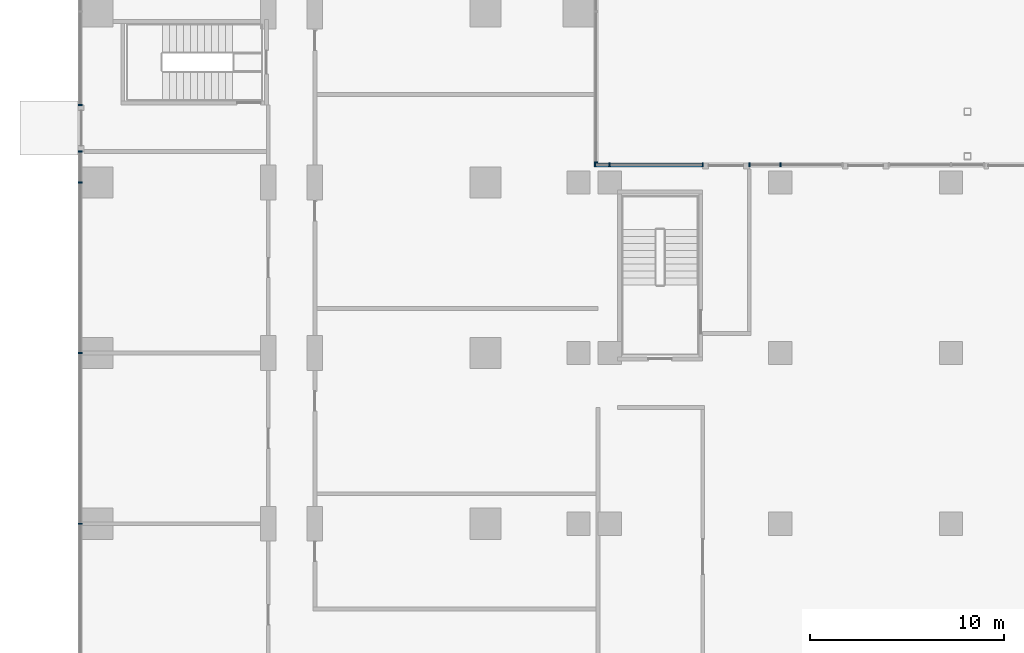
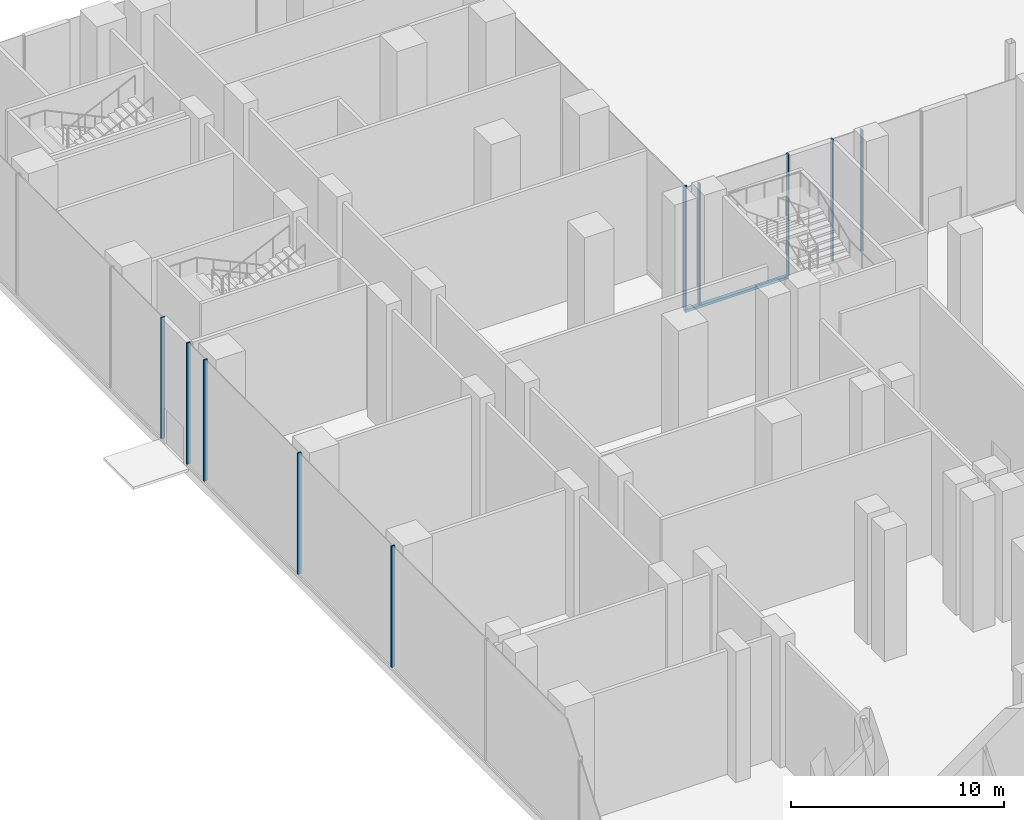
# One storey, part 11 of 41: 12 members, 5 elements without a shape of their own.
"""IFC4 building model written with IfcOpenShell, lengths in metres."""

import ifcopenshell
import ifcopenshell.guid

model = None  # the IFC model being written
_history = None  # IfcOwnerHistory: only IFC2X3 demands one
_inside = {}  # id of a spatial element -> (the spatial element, [elements in it])
_under = {}  # id of a project, library or spatial element -> (it, [spatial elements below it])
_declared = {}  # id of a project -> (the project, [libraries it declares])
_typed = {}  # id of a type object -> (the type object, [elements of that type])
_made_of = {}  # id of a material, layer set ... -> (it, [elements and type objects made of it])


def new_model(schema):
    """Start an empty IFC model of exactly this schema.

    Asked for "IFC4X3", IfcOpenShell would pick the latest addendum, in which some entities
    have other attributes; the version numbers below select the first issue.
    IFC2X3 requires an IfcOwnerHistory on every rooted entity: one is made here for all.
    """
    global model, _history
    if schema == "IFC4X3":
        model = ifcopenshell.file(schema_version=(4, 3, 0, 0))
    else:
        model = ifcopenshell.file(schema=schema)
    _inside.clear()
    _under.clear()
    _declared.clear()
    _typed.clear()
    _made_of.clear()
    _history = None
    if model.schema == "IFC2X3":
        org = make("IfcOrganization", Name="unknown")
        user = make(
            "IfcPersonAndOrganization",
            ThePerson=make("IfcPerson", FamilyName="unknown"),
            TheOrganization=org,
        )
        app = make(
            "IfcApplication",
            ApplicationDeveloper=org,
            Version="unknown",
            ApplicationFullName="unknown",
            ApplicationIdentifier="unknown",
        )
        _history = make(
            "IfcOwnerHistory",
            OwningUser=user,
            OwningApplication=app,
            ChangeAction="ADDED",
            CreationDate=0,
        )
    return model


def make(cls, **values):
    """One entity of the class cls with the attributes given. An attribute that is None is left unset."""
    return model.create_entity(
        cls, **{name: value for name, value in values.items() if value is not None}
    )


def rooted(cls, **values):
    """An entity with a GlobalId (a new one), such as an element, a storey or a relation."""
    return make(cls, GlobalId=ifcopenshell.guid.new(), OwnerHistory=_history, **values)


def si_unit(unit_type, name, prefix=None):
    """IfcSIUnit, for example si_unit("LENGTHUNIT", "METRE", prefix="MILLI")."""
    return make("IfcSIUnit", UnitType=unit_type, Prefix=prefix, Name=name)


def assignment(units):
    """IfcUnitAssignment: the units of a project."""
    return None if units is None else make("IfcUnitAssignment", Units=units)


def point(xyz):
    """IfcCartesianPoint."""
    return None if xyz is None else make("IfcCartesianPoint", Coordinates=xyz)


def direction(xyz):
    """IfcDirection."""
    return None if xyz is None else make("IfcDirection", DirectionRatios=xyz)


def frame(location, z_axis=None, x_axis=None):
    """IfcAxis2Placement3D, a coordinate frame: its origin and axes. An axis left out is left unset."""
    return make(
        "IfcAxis2Placement3D",
        Location=point(location),
        Axis=direction(z_axis),
        RefDirection=direction(x_axis),
    )


def frame_2d(location, x_axis=None):
    """IfcAxis2Placement2D, a coordinate frame in the plane: its origin and x axis."""
    return make(
        "IfcAxis2Placement2D", Location=point(location), RefDirection=direction(x_axis)
    )


def origin():
    """The frame at (0, 0, 0) with its axes left unset."""
    return frame((0.0, 0.0, 0.0))


def origin_2d():
    """The frame at (0, 0) in the plane with its x axis left unset."""
    return frame_2d((0.0, 0.0))


def place(relative_to, where):
    """IfcLocalPlacement: puts the frame where relative to a parent placement (None: the world)."""
    return make(
        "IfcLocalPlacement", PlacementRelTo=relative_to, RelativePlacement=where
    )


def context(
    kind, dimensions, precision=None, world=None, true_north=None, identifier=None
):
    """IfcGeometricRepresentationContext, for example the 3D "Model" context."""
    return make(
        "IfcGeometricRepresentationContext",
        ContextIdentifier=identifier,
        ContextType=kind,
        CoordinateSpaceDimension=dimensions,
        Precision=precision,
        WorldCoordinateSystem=world,
        TrueNorth=true_north,
    )


def subcontext(parent, identifier, kind, view, scale=None):
    """IfcGeometricRepresentationSubContext, for example "Body" below "Model"."""
    return make(
        "IfcGeometricRepresentationSubContext",
        ContextIdentifier=identifier,
        ContextType=kind,
        ParentContext=parent,
        TargetScale=scale,
        TargetView=view,
    )


def project(units=None, contexts=None):
    """IfcProject with its units and contexts."""
    return rooted(
        "IfcProject",
        Name="project",
        RepresentationContexts=contexts,
        UnitsInContext=assignment(units),
    )


def spatial(cls, under=None, at=None, **own):
    """A site, building, storey or space (cls), placed at a placement, below another one or the project."""
    s = rooted(cls, ObjectPlacement=at, **own)
    if under is not None:
        _under.setdefault(under.id(), (under, []))[1].append(s)
    return s


def profile(cls, at=None, kind="AREA", **sizes):
    """A parametric profile (cls). Its sizes go by their IFC names, for example OverallWidth=200.0."""
    return make(cls, ProfileType=kind, Position=at, **sizes)


def rectangle(**sizes):
    """IfcRectangleProfileDef."""
    return profile("IfcRectangleProfileDef", **sizes)


def extrude(swept, where, along, depth):
    """IfcExtrudedAreaSolid: the profile swept, set in the frame where, extruded along a direction by depth."""
    return make(
        "IfcExtrudedAreaSolid",
        SweptArea=swept,
        Position=where,
        ExtrudedDirection=direction(along),
        Depth=depth,
    )


def shape(context_of_items, identifier, shape_type, items):
    """IfcShapeRepresentation: the items that make up one representation, for example the "Body"."""
    return make(
        "IfcShapeRepresentation",
        ContextOfItems=context_of_items,
        RepresentationIdentifier=identifier,
        RepresentationType=shape_type,
        Items=items,
    )


def source(mapping_origin, context_of_items, identifier, shape_type, items):
    """IfcRepresentationMap: a shape defined once, which mapped items show again and again."""
    return make(
        "IfcRepresentationMap",
        MappingOrigin=mapping_origin,
        MappedRepresentation=shape(context_of_items, identifier, shape_type, items),
    )


def transform(
    local_origin,
    x_axis=None,
    y_axis=None,
    z_axis=None,
    scale=None,
    scale2=None,
    scale3=None,
    uniform=True,
):
    """IfcCartesianTransformationOperator3D, or its non-uniform kind. x_axis, y_axis, z_axis: its Axis1, 2, 3."""
    if uniform:
        return make(
            "IfcCartesianTransformationOperator3D",
            Axis1=direction(x_axis),
            Axis2=direction(y_axis),
            LocalOrigin=point(local_origin),
            Scale=scale,
            Axis3=direction(z_axis),
        )
    return make(
        "IfcCartesianTransformationOperator3DnonUniform",
        Axis1=direction(x_axis),
        Axis2=direction(y_axis),
        LocalOrigin=point(local_origin),
        Scale=scale,
        Axis3=direction(z_axis),
        Scale2=scale2,
        Scale3=scale3,
    )


def mapped(mapping_source, mapping_target):
    """IfcMappedItem: shows the shape of a source again, moved by a transform."""
    return make(
        "IfcMappedItem", MappingSource=mapping_source, MappingTarget=mapping_target
    )


def material(Name=None, Category=None):
    """IfcMaterial."""
    return make("IfcMaterial", Name=Name, Category=Category)


def material_profile(
    of_material, cross_section, Name=None, Category=None, Priority=None
):
    """IfcMaterialProfile: a cross section and its material."""
    return make(
        "IfcMaterialProfile",
        Name=Name,
        Material=of_material,
        Profile=cross_section,
        Priority=Priority,
        Category=Category,
    )


def profile_set(profiles, Name=None, composite=None):
    """IfcMaterialProfileSet."""
    return make(
        "IfcMaterialProfileSet",
        Name=Name,
        MaterialProfiles=profiles,
        CompositeProfile=composite,
    )


def made_of(thing, what):
    """Note that an element or type object is made of a material, layer set ...; save() writes the relation."""
    if what is not None:
        _made_of.setdefault(what.id(), (what, []))[1].append(thing)
    return thing


def type_object(cls, material=None, **own):
    """A type object (cls), such as IfcWallType, which elements share."""
    return made_of(rooted(cls, **own), material)


def element(
    cls,
    number,
    at=None,
    inside=None,
    cuts=None,
    type_object=None,
    material=None,
    context=None,
    identifier="Body",
    shape_type=None,
    held_by="IfcProductDefinitionShape",
    body=None,
    shapes=None,
    **own,
):
    """One element of the class cls, such as IfcWall. Its Tag is "e" and its number.

    at: its placement. inside: the storey or other place that contains it. cuts: it is an
    opening in that element (IfcRelVoidsElement). A single representation is given by context,
    identifier, shape_type and body (its items); several are given by shapes. held_by: the class
    of the entity that holds the representations. save() writes the other relations.
    """
    e = rooted(cls, Tag="e%d" % number, ObjectPlacement=at, **own)
    if body is not None:
        shapes = [shape(context, identifier, shape_type, body)]
    if shapes is not None:
        e.Representation = make(held_by, Representations=shapes)
    if inside is not None:
        _inside.setdefault(inside.id(), (inside, []))[1].append(e)
    if cuts is not None:
        rooted(
            "IfcRelVoidsElement", RelatingBuildingElement=cuts, RelatedOpeningElement=e
        )
    if type_object is not None:
        _typed.setdefault(type_object.id(), (type_object, []))[1].append(e)
    return made_of(e, material)


def aggregate(whole, parts):
    """IfcRelAggregates: a whole, such as a stair, and the parts it consists of."""
    return rooted("IfcRelAggregates", RelatingObject=whole, RelatedObjects=parts)


def save(model, path):
    """Write the relations noted so far, then the file.

    IfcRelAggregates (storeys below a building ...), IfcRelContainedInSpatialStructure (elements
    in a storey), IfcRelDefinesByType, IfcRelAssociatesMaterial and IfcRelDeclares: one each for
    every whole, place, type object, material and project.
    """
    for whole, parts in _under.values():
        aggregate(whole, parts)
    for where, things in _inside.values():
        rooted(
            "IfcRelContainedInSpatialStructure",
            RelatedElements=things,
            RelatingStructure=where,
        )
    for kind, things in _typed.values():
        rooted("IfcRelDefinesByType", RelatedObjects=things, RelatingType=kind)
    for what, things in _made_of.values():
        rooted("IfcRelAssociatesMaterial", RelatedObjects=things, RelatingMaterial=what)
    for by, libraries in _declared.values():
        rooted("IfcRelDeclares", RelatingContext=by, RelatedDefinitions=libraries)
    model.write(path)


model = new_model("IFC4")

# Units and contexts
model_context = context("Model", 3, precision=1e-05, world=origin(), true_north=direction((0.0, 1.0)))
body_context = subcontext(model_context, "Body", "Model", "MODEL_VIEW")
ifc_project = project(units=[si_unit("LENGTHUNIT", "METRE"), si_unit("AREAUNIT", "SQUARE_METRE"), si_unit("VOLUMEUNIT", "CUBIC_METRE"), si_unit("PLANEANGLEUNIT", "RADIAN"), si_unit("MASSUNIT", "GRAM", prefix="KILO")], contexts=[model_context])

# Site, building, storey
site_placement = place(None, origin())
site = spatial("IfcSite", under=ifc_project, at=site_placement, CompositionType="ELEMENT")
building_placement = place(site_placement, origin())
building = spatial("IfcBuilding", under=site, at=building_placement, Name="Kemantara Hotel Tower", CompositionType="ELEMENT")
storey_placement = place(building_placement, origin())
storey = spatial("IfcBuildingStorey", under=building, at=storey_placement, Name="L00", CompositionType="ELEMENT", Elevation=0.0)

# Curtain wall, member
ifc_material_1 = material(Name="Laminated tinted insulated glass 44 mm", Category="glass")
curtain_wall_type = type_object("IfcCurtainWallType", Name="PODIUM GLASS CURTAIN WALL", PredefinedType="USERDEFINED", material=ifc_material_1)
curtain_wall_1_placement = place(storey_placement, origin())
curtain_wall_1 = element("IfcCurtainWall", 1, at=curtain_wall_1_placement, inside=storey, type_object=curtain_wall_type, Name="CW1 L00 POD-R09-5", ObjectType="PODIUM GLASS CURTAIN WALL", PredefinedType="USERDEFINED")
ifc_material_2 = material(Name="Aluminium 6063-T6 bronze anodised", Category="aluminium")
ifc_material_profile_1 = material_profile(ifc_material_2, rectangle(XDim=0.199951171875, YDim=0.14990234375, at=origin_2d()), Name="PODIUM GLASS CURTAIN WALL TRANSOM")
ifc_profile_set_1 = profile_set([ifc_material_profile_1], Name="Aluminium 6063-T6 bronze anodised")
member_type_1 = type_object("IfcMemberType", Name="PODIUM GLASS CURTAIN WALL TRANSOM", PredefinedType="USERDEFINED", material=ifc_profile_set_1)
member_1_placement = place(storey_placement, frame((32.199951171875, 54.699951171875, 0.074951171875), z_axis=(-1.0, 0.0, 0.0), x_axis=(0.0, -1.0, 0.0)))
member_1 = element("IfcMember", 2, at=member_1_placement, type_object=member_type_1, Name="CW1 sill transom POD-R09-5", ObjectType="TRANSOM", PredefinedType="USERDEFINED", context=body_context, shape_type="SweptSolid", body=[
    extrude(rectangle(XDim=0.199951171875, YDim=0.14990234375, at=origin_2d()), origin(), (0.0, 0.0, 1.0), 5.599853515625),
])

# Curtain wall, members
curtain_wall_2_placement = place(storey_placement, origin())
curtain_wall_2 = element("IfcCurtainWall", 3, at=curtain_wall_2_placement, inside=storey, type_object=curtain_wall_type, Name="CW1 L00 POD-R09-4", ObjectType="PODIUM GLASS CURTAIN WALL", PredefinedType="USERDEFINED")
ifc_material_profile_2 = material_profile(ifc_material_2, rectangle(XDim=0.199951171875, YDim=0.074951171875, at=origin_2d()), Name="PODIUM GLASS CURTAIN WALL MULLION")
ifc_profile_set_2 = profile_set([ifc_material_profile_2], Name="Aluminium 6063-T6 bronze anodised")
member_type_2 = type_object("IfcMemberType", Name="PODIUM GLASS CURTAIN WALL MULLION", PredefinedType="MULLION", material=ifc_profile_set_2)
shared_shape = source(origin(), body_context, "Body", "SweptSolid", [
    extrude(rectangle(XDim=0.199951171875, YDim=0.074951171875, at=origin_2d()), origin(), (0.0, 0.0, 1.0), 6.9501953125),
])
member_2_placement = place(storey_placement, frame((36.199951171875, 54.699951171875, 0.14990234375), z_axis=(0.0, 0.0, 1.0), x_axis=(0.0, -1.0, 0.0)))
member_2 = element("IfcMember", 4, at=member_2_placement, type_object=member_type_2, Name="CW1 mullion POD-R09-4.2", PredefinedType="MULLION", context=body_context, shape_type="MappedRepresentation", body=[
    mapped(shared_shape, transform((0.0, 0.0, 0.0))),
])
member_3_placement = place(storey_placement, frame((34.60009765625, 54.699951171875, 0.14990234375), z_axis=(0.0, 0.0, 1.0), x_axis=(0.0, -1.0, 0.0)))
member_3 = element("IfcMember", 5, at=member_3_placement, type_object=member_type_2, Name="CW1 mullion POD-R09-4.3", PredefinedType="MULLION", context=body_context, shape_type="MappedRepresentation", body=[
    mapped(shared_shape, transform((0.0, 0.0, 0.0))),
])
aggregate(curtain_wall_2, [member_2, member_3])

# Member
member_4_placement = place(storey_placement, frame((32.199951171875, 54.699951171875, 0.14990234375), z_axis=(0.0, 0.0, 1.0), x_axis=(0.0, -1.0, 0.0)))
member_4 = element("IfcMember", 6, at=member_4_placement, type_object=member_type_2, Name="CW1 mullion POD-R09-5.1", PredefinedType="MULLION", context=body_context, shape_type="MappedRepresentation", body=[
    mapped(shared_shape, transform((0.0, 0.0, 0.0))),
])

member_5_placement = place(storey_placement, frame((27.39990234375, 54.699951171875, 0.14990234375), z_axis=(0.0, 0.0, 1.0), x_axis=(0.0, -1.0, 0.0)))
member_5 = element("IfcMember", 7, at=member_5_placement, type_object=member_type_2, Name="CW1 mullion POD-R09-5.2", PredefinedType="MULLION", context=body_context, shape_type="MappedRepresentation", body=[
    mapped(shared_shape, transform((0.0, 0.0, 0.0))),
])

member_6_placement = place(storey_placement, frame((26.637451171875, 54.699951171875, 0.14990234375), z_axis=(0.0, 0.0, 1.0), x_axis=(0.0, -1.0, 0.0)))
member_6 = element("IfcMember", 8, at=member_6_placement, type_object=member_type_2, Name="CW1 mullion POD-R09-5.3", PredefinedType="MULLION", context=body_context, shape_type="MappedRepresentation", body=[
    mapped(shared_shape, transform((0.0, 0.0, 0.0))),
])

aggregate(curtain_wall_1, [member_1, member_4, member_5, member_6])

# Curtain wall, member
curtain_wall_3_placement = place(storey_placement, origin())
curtain_wall_3 = element("IfcCurtainWall", 9, at=curtain_wall_3_placement, inside=storey, type_object=curtain_wall_type, Name="CW1 L00 POD-R10-1", ObjectType="PODIUM GLASS CURTAIN WALL", PredefinedType="USERDEFINED")
member_7_placement = place(storey_placement, frame((26.699951171875, 54.83740234375, 0.14990234375), z_axis=(0.0, 0.0, 1.0), x_axis=(-1.0, 0.0, 0.0)))
member_7 = element("IfcMember", 10, at=member_7_placement, type_object=member_type_2, Name="CW1 mullion POD-R10-1.1", PredefinedType="MULLION", context=body_context, shape_type="MappedRepresentation", body=[
    mapped(shared_shape, transform((0.0, 0.0, 0.0))),
])
aggregate(curtain_wall_3, [member_7])

curtain_wall_4_placement = place(storey_placement, origin())
curtain_wall_4 = element("IfcCurtainWall", 11, at=curtain_wall_4_placement, inside=storey, type_object=curtain_wall_type, Name="CW1 L00 POD-R16-1", ObjectType="PODIUM GLASS CURTAIN WALL", PredefinedType="USERDEFINED")
member_8_placement = place(storey_placement, frame((0.10009765625, 57.800048828125, 0.14990234375), z_axis=(0.0, 0.0, 1.0), x_axis=(1.0, 0.0, 0.0)))
member_8 = element("IfcMember", 12, at=member_8_placement, type_object=member_type_2, Name="CW1 mullion POD-R16-1.4", PredefinedType="MULLION", context=body_context, shape_type="MappedRepresentation", body=[
    mapped(shared_shape, transform((0.0, 0.0, 0.0))),
])
aggregate(curtain_wall_4, [member_8])

# Curtain wall, members
curtain_wall_5_placement = place(storey_placement, origin())
curtain_wall_5 = element("IfcCurtainWall", 13, at=curtain_wall_5_placement, inside=storey, type_object=curtain_wall_type, Name="CW1 L00 POD-R16-2", ObjectType="PODIUM GLASS CURTAIN WALL", PredefinedType="USERDEFINED")
member_9_placement = place(storey_placement, frame((0.10009765625, 55.39990234375, 0.14990234375), z_axis=(0.0, 0.0, 1.0), x_axis=(1.0, 0.0, 0.0)))
member_9 = element("IfcMember", 14, at=member_9_placement, type_object=member_type_2, Name="CW1 mullion POD-R16-2.1", PredefinedType="MULLION", context=body_context, shape_type="MappedRepresentation", body=[
    mapped(shared_shape, transform((0.0, 0.0, 0.0))),
])
member_10_placement = place(storey_placement, frame((0.10009765625, 53.800048828125, 0.14990234375), z_axis=(0.0, 0.0, 1.0), x_axis=(1.0, 0.0, 0.0)))
member_10 = element("IfcMember", 15, at=member_10_placement, type_object=member_type_2, Name="CW1 mullion POD-R16-2.2", PredefinedType="MULLION", context=body_context, shape_type="MappedRepresentation", body=[
    mapped(shared_shape, transform((0.0, 0.0, 0.0))),
])
member_11_placement = place(storey_placement, frame((0.10009765625, 45.0, 0.14990234375), z_axis=(0.0, 0.0, 1.0), x_axis=(1.0, 0.0, 0.0)))
member_11 = element("IfcMember", 16, at=member_11_placement, type_object=member_type_2, Name="CW1 mullion POD-R16-2.3", PredefinedType="MULLION", context=body_context, shape_type="MappedRepresentation", body=[
    mapped(shared_shape, transform((0.0, 0.0, 0.0))),
])
member_12_placement = place(storey_placement, frame((0.10009765625, 36.199951171875, 0.14990234375), z_axis=(0.0, 0.0, 1.0), x_axis=(1.0, 0.0, 0.0)))
member_12 = element("IfcMember", 17, at=member_12_placement, type_object=member_type_2, Name="CW1 mullion POD-R16-2.4", PredefinedType="MULLION", context=body_context, shape_type="MappedRepresentation", body=[
    mapped(shared_shape, transform((0.0, 0.0, 0.0))),
])
aggregate(curtain_wall_5, [member_9, member_10, member_11, member_12])

save(model, "model.ifc")
